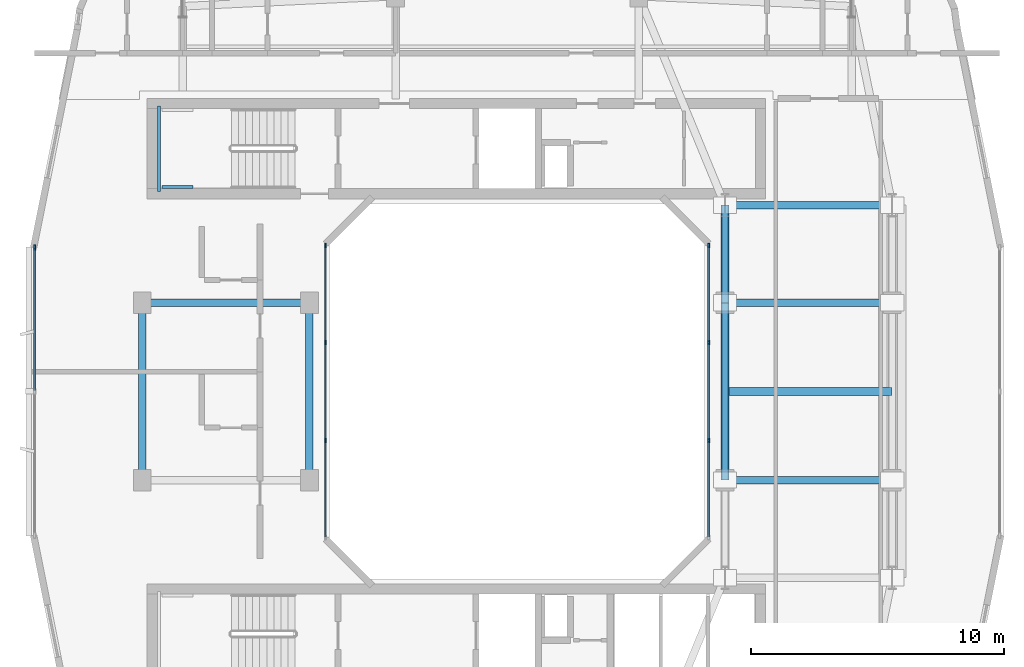
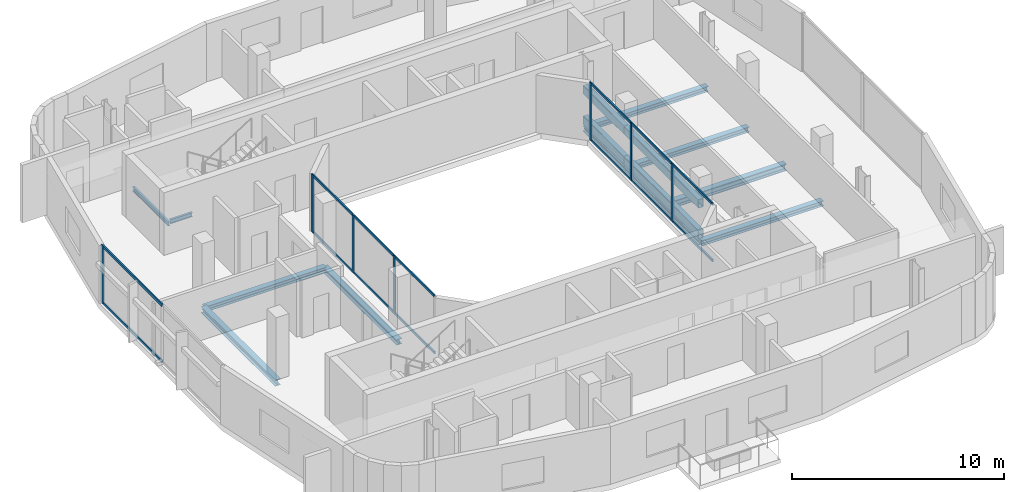
# One storey, part 3 of 13: 25 members, 11 beams, 3 elements without a shape of their own.
"""IFC4 building model written with IfcOpenShell, lengths in metres."""

from ifc_helpers import new_model, si_unit, derived_unit, direction, frame, origin, origin_2d, place, context, subcontext, project, spatial, rectangle, hollow_rectangle, i_section, extrude, material, layer, layer_set, material_profile, profile_set, type_object, element, aggregate, save


model = new_model("IFC4")

# Units and contexts
model_context = context("Model", 3, precision=1e-05, world=origin(), true_north=direction((0.0, 1.0)))
body_context = subcontext(model_context, "Body", "Model", "MODEL_VIEW")
ifc_project = project(units=[si_unit("LENGTHUNIT", "METRE"), si_unit("AREAUNIT", "SQUARE_METRE"), si_unit("VOLUMEUNIT", "CUBIC_METRE"), si_unit("PLANEANGLEUNIT", "RADIAN"), si_unit("MASSUNIT", "GRAM", prefix="KILO"), derived_unit("THERMALTRANSMITTANCEUNIT", [(si_unit("POWERUNIT", "WATT"), 1), (si_unit("LENGTHUNIT", "METRE"), -2), (si_unit("THERMODYNAMICTEMPERATUREUNIT", "KELVIN"), -1)])], contexts=[model_context])

# Site, building, storey
site_placement = place(None, origin())
site = spatial("IfcSite", under=ifc_project, at=site_placement, CompositionType="ELEMENT")
building_placement = place(site_placement, origin())
building = spatial("IfcBuilding", under=site, at=building_placement, Name="Kivonza Crest Hotel", CompositionType="ELEMENT")
storey_placement = place(building_placement, frame((0.0, 0.0, 199.10009765625)))
storey = spatial("IfcBuildingStorey", under=building, at=storey_placement, Name="L54", CompositionType="ELEMENT", Elevation=199.10009765625)

# Beams
ifc_material_1 = material(Name="Steel S355", Category="steel")
ifc_material_profile_1 = material_profile(ifc_material_1, i_section(OverallWidth=0.300048828125, OverallDepth=0.300048828125, WebThickness=0.010986328125, FlangeThickness=0.01904296875, FilletRadius=0.027099609375, at=origin_2d()), Name="HEB 300")
ifc_profile_set_1 = profile_set([ifc_material_profile_1], Name="Steel S355")
beam_type_1 = type_object("IfcBeamType", Name="BM-HEB300", PredefinedType="BEAM", material=ifc_profile_set_1)
beam_1_placement = place(storey_placement, frame((6.199951171875, 28.5, -0.47021484375), z_axis=(1.0, 0.0, 0.0), x_axis=(0.0, 1.0, 0.0)))
element("IfcBeam", 1, at=beam_1_placement, inside=storey, type_object=beam_type_1, Name="Tower T1 L54 primary girder W2-WL2", PredefinedType="BEAM", context=body_context, shape_type="SweptSolid", body=[
    extrude(i_section(OverallWidth=0.300048828125, OverallDepth=0.300048828125, WebThickness=0.010986328125, FlangeThickness=0.01904296875, FilletRadius=0.027099609375, at=origin_2d()), origin(), (0.0, 0.0, 1.0), 6.60009765625),
])
beam_2_placement = place(storey_placement, frame((12.800048828125, 21.5, -0.47021484375), z_axis=(0.0, 1.0, 0.0), x_axis=(-1.0, 0.0, 0.0)))
element("IfcBeam", 2, at=beam_2_placement, inside=storey, type_object=beam_type_1, Name="Tower T1 L54 primary girder WL1-WL2", PredefinedType="BEAM", context=body_context, shape_type="SweptSolid", body=[
    extrude(i_section(OverallWidth=0.300048828125, OverallDepth=0.300048828125, WebThickness=0.010986328125, FlangeThickness=0.01904296875, FilletRadius=0.027099609375, at=origin_2d()), origin(), (0.0, 0.0, 1.0), 7.0),
])
beam_3_placement = place(storey_placement, frame((29.199951171875, 32.35009765625, -0.47021484375), z_axis=(1.0, 0.0, 0.0), x_axis=(0.0, 1.0, 0.0)))
element("IfcBeam", 3, at=beam_3_placement, inside=storey, type_object=beam_type_1, Name="Tower T1 L54 primary girder TNE-PNE", PredefinedType="BEAM", context=body_context, shape_type="SweptSolid", body=[
    extrude(i_section(OverallWidth=0.300048828125, OverallDepth=0.300048828125, WebThickness=0.010986328125, FlangeThickness=0.01904296875, FilletRadius=0.027099609375, at=origin_2d()), origin(), (0.0, 0.0, 1.0), 6.60009765625),
])
beam_4_placement = place(storey_placement, frame((29.199951171875, 21.5, -0.47021484375), z_axis=(0.0, 1.0, 0.0), x_axis=(-1.0, 0.0, 0.0)))
element("IfcBeam", 4, at=beam_4_placement, inside=storey, type_object=beam_type_1, Name="Tower T1 L54 primary girder WR1-WR2", PredefinedType="BEAM", context=body_context, shape_type="SweptSolid", body=[
    extrude(i_section(OverallWidth=0.300048828125, OverallDepth=0.300048828125, WebThickness=0.010986328125, FlangeThickness=0.01904296875, FilletRadius=0.027099609375, at=origin_2d()), origin(), (0.0, 0.0, 1.0), 7.0),
])
beam_5_placement = place(storey_placement, frame((29.199951171875, 28.5, -0.47021484375), z_axis=(0.0, 1.0, 0.0), x_axis=(-1.0, 0.0, 0.0)))
element("IfcBeam", 5, at=beam_5_placement, inside=storey, type_object=beam_type_1, Name="Tower T1 L54 primary girder WR2-TNE", PredefinedType="BEAM", context=body_context, shape_type="SweptSolid", body=[
    extrude(i_section(OverallWidth=0.300048828125, OverallDepth=0.300048828125, WebThickness=0.010986328125, FlangeThickness=0.01904296875, FilletRadius=0.027099609375, at=origin_2d()), origin(), (0.0, 0.0, 1.0), 3.85009765625),
])
for number, where, z_axis, x_axis, name in (
    (6, (29.199951171875, 21.5, -0.47021484375), (1.0, 0.0, 0.0), (0.0, 1.0, 0.0), "Tower T1 L54 primary girder WR1-E1"),
    (7, (29.199951171875, 28.5, -0.47021484375), (1.0, 0.0, 0.0), (0.0, 1.0, 0.0), "Tower T1 L54 primary girder WR2-E2"),
):
    element("IfcBeam", number, at=place(storey_placement, frame(where, z_axis=z_axis, x_axis=x_axis)), inside=storey, type_object=beam_type_1, Name=name, PredefinedType="BEAM", context=body_context, shape_type="SweptSolid", body=[
        extrude(i_section(OverallWidth=0.300048828125, OverallDepth=0.300048828125, WebThickness=0.010986328125, FlangeThickness=0.01904296875, FilletRadius=0.027099609375, at=origin_2d()), origin(), (0.0, 0.0, 1.0), 6.60009765625),
    ])
ifc_material_profile_2 = material_profile(ifc_material_1, i_section(OverallWidth=0.300048828125, OverallDepth=0.360107421875, WebThickness=0.012451171875, FlangeThickness=0.0224609375, FilletRadius=0.027099609375, at=origin_2d()), Name="HEB 360")
ifc_profile_set_2 = profile_set([ifc_material_profile_2], Name="Steel S355")
beam_type_2 = type_object("IfcBeamType", Name="BM-HEB360", PredefinedType="SPANDREL", material=ifc_profile_set_2)
beam_6_placement = place(storey_placement, frame((6.199951171875, 28.5, -0.5), z_axis=(0.0, -1.0, 0.0), x_axis=(1.0, 0.0, 0.0)))
element("IfcBeam", 8, at=beam_6_placement, inside=storey, type_object=beam_type_2, Name="Tower T1 L54 perimeter spandrel W2-W1", PredefinedType="SPANDREL", context=body_context, shape_type="SweptSolid", body=[
    extrude(i_section(OverallWidth=0.300048828125, OverallDepth=0.360107421875, WebThickness=0.012451171875, FlangeThickness=0.0224609375, FilletRadius=0.027099609375, at=origin_2d()), origin(), (0.0, 0.0, 1.0), 7.0),
])
ifc_material_profile_3 = material_profile(ifc_material_1, i_section(OverallWidth=0.30810546875, OverallDepth=0.39501953125, WebThickness=0.02099609375, FlangeThickness=0.0400390625, FilletRadius=0.027099609375, at=origin_2d()), Name="HEM 360")
ifc_profile_set_3 = profile_set([ifc_material_profile_3], Name="Steel S355")
beam_type_3 = type_object("IfcBeamType", Name="BM-HEM360", PredefinedType="BEAM", material=ifc_profile_set_3)
beam_7_placement = place(storey_placement, frame((29.199951171875, 25.0, -0.51708984375), z_axis=(1.0, 0.0, 0.0), x_axis=(0.0, 1.0, 0.0)))
element("IfcBeam", 9, at=beam_7_placement, inside=storey, type_object=beam_type_3, Name="Transfer level tie girder L54", PredefinedType="BEAM", context=body_context, shape_type="SweptSolid", body=[
    extrude(i_section(OverallWidth=0.30810546875, OverallDepth=0.39501953125, WebThickness=0.02099609375, FlangeThickness=0.0400390625, FilletRadius=0.027099609375, at=origin_2d()), origin(), (0.0, 0.0, 1.0), 6.60009765625),
])
ifc_material_profile_4 = material_profile(ifc_material_1, i_section(OverallWidth=0.1201171875, OverallDepth=0.239990234375, WebThickness=0.006103515625, FlangeThickness=0.009765625, FilletRadius=0.014892578125, at=origin_2d()), Name="IPE 240")
ifc_profile_set_4 = profile_set([ifc_material_profile_4], Name="Steel S355")
beam_type_4 = type_object("IfcBeamType", Name="BM-LLDG-240", PredefinedType="BEAM", material=ifc_profile_set_4)
beam_8_placement = place(storey_placement, frame((6.860107421875, 32.89990234375, 1.47998046875), z_axis=(0.0, 1.0, 0.0), x_axis=(-1.0, 0.0, 0.0)))
element("IfcBeam", 10, at=beam_8_placement, inside=storey, type_object=beam_type_4, Name="Stair ST-T1-N L54 West landing corbel", PredefinedType="BEAM", context=body_context, shape_type="SweptSolid", body=[
    extrude(i_section(OverallWidth=0.1201171875, OverallDepth=0.239990234375, WebThickness=0.006103515625, FlangeThickness=0.009765625, FilletRadius=0.014892578125, at=origin_2d()), origin(), (0.0, 0.0, 1.0), 3.360107421875),
])
beam_9_placement = place(storey_placement, frame((6.989990234375, 33.06005859375, 1.47998046875), z_axis=(1.0, 0.0, 0.0), x_axis=(0.0, 1.0, 0.0)))
element("IfcBeam", 11, at=beam_9_placement, inside=storey, type_object=beam_type_4, Name="Stair ST-T1-N L54 South landing corbel", PredefinedType="BEAM", context=body_context, shape_type="SweptSolid", body=[
    extrude(i_section(OverallWidth=0.1201171875, OverallDepth=0.239990234375, WebThickness=0.006103515625, FlangeThickness=0.009765625, FilletRadius=0.014892578125, at=origin_2d()), origin(), (0.0, 0.0, 1.0), 1.2099609375),
])

# Curtain wall, members
ifc_material_2 = material(Name="Anodised bronze aluminium and low-E double glazing", Category="aluminium")
ifc_layer_1 = layer(ifc_material_2, 0.159912109375)
ifc_layer_set_1 = layer_set([ifc_layer_1], Name="Anodised bronze aluminium and low-E double glazing")
curtain_wall_type_1 = type_object("IfcCurtainWallType", Name="CW-SYS-5", PredefinedType="NOTDEFINED", material=ifc_layer_set_1)
curtain_wall_1_placement = place(storey_placement, origin())
curtain_wall_1 = element("IfcCurtainWall", 12, at=curtain_wall_1_placement, inside=storey, type_object=curtain_wall_type_1, Name="L54 unitised curtain wall CW-WELL-T1-L54-3", PredefinedType="NOTDEFINED")
ifc_material_3 = material(Name="Anodised bronze aluminium", Category="aluminium")
ifc_material_profile_5 = material_profile(ifc_material_3, rectangle(XDim=0.06494140625, YDim=0.179931640625, at=origin_2d()), Name="CW-M 65x180")
ifc_profile_set_5 = profile_set([ifc_material_profile_5], Name="Anodised bronze aluminium")
member_type_1 = type_object("IfcMemberType", Name="CW-MUL-65x180", PredefinedType="MULLION", material=ifc_profile_set_5)
member_1_placement = place(storey_placement, frame((28.56005859375, 23.066650390625, 0.0), z_axis=(0.0, 0.0, 1.0), x_axis=(-1.0, 0.0, 0.0)))
member_1 = element("IfcMember", 13, at=member_1_placement, type_object=member_type_1, Name="CW-5 mullion 2", PredefinedType="MULLION", context=body_context, shape_type="SweptSolid", body=[
    extrude(rectangle(XDim=0.06494140625, YDim=0.179931640625, at=origin_2d()), origin(), (0.0, 0.0, 1.0), 3.31982421875),
])
member_2_placement = place(storey_placement, frame((28.56005859375, 26.933349609375, 0.0), z_axis=(0.0, 0.0, 1.0), x_axis=(-1.0, 0.0, 0.0)))
member_2 = element("IfcMember", 14, at=member_2_placement, type_object=member_type_1, Name="CW-5 mullion 3", PredefinedType="MULLION", context=body_context, shape_type="SweptSolid", body=[
    extrude(rectangle(XDim=0.06494140625, YDim=0.179931640625, at=origin_2d()), origin(), (0.0, 0.0, 1.0), 3.31982421875),
])
member_3_placement = place(storey_placement, frame((28.56005859375, 30.767578125, 0.0), z_axis=(0.0, 0.0, 1.0), x_axis=(-1.0, 0.0, 0.0)))
member_3 = element("IfcMember", 15, at=member_3_placement, type_object=member_type_1, Name="CW-5 mullion 4", PredefinedType="MULLION", context=body_context, shape_type="SweptSolid", body=[
    extrude(rectangle(XDim=0.06494140625, YDim=0.179931640625, at=origin_2d()), origin(), (0.0, 0.0, 1.0), 3.31982421875),
])

curtain_wall_2_placement = place(storey_placement, origin())
curtain_wall_2 = element("IfcCurtainWall", 16, at=curtain_wall_2_placement, inside=storey, type_object=curtain_wall_type_1, Name="L54 unitised curtain wall CW-WELL-T1-L54-7", PredefinedType="NOTDEFINED")
member_4_placement = place(storey_placement, frame((13.43994140625, 30.767578125, 0.0), z_axis=(0.0, 0.0, 1.0), x_axis=(1.0, 0.0, 0.0)))
member_4 = element("IfcMember", 17, at=member_4_placement, type_object=member_type_1, Name="CW-5 mullion 1", PredefinedType="MULLION", context=body_context, shape_type="SweptSolid", body=[
    extrude(rectangle(XDim=0.06494140625, YDim=0.179931640625, at=origin_2d()), origin(), (0.0, 0.0, 1.0), 3.31982421875),
])
member_5_placement = place(storey_placement, frame((13.43994140625, 26.933349609375, 0.0), z_axis=(0.0, 0.0, 1.0), x_axis=(1.0, 0.0, 0.0)))
member_5 = element("IfcMember", 18, at=member_5_placement, type_object=member_type_1, Name="CW-5 mullion 2", PredefinedType="MULLION", context=body_context, shape_type="SweptSolid", body=[
    extrude(rectangle(XDim=0.06494140625, YDim=0.179931640625, at=origin_2d()), origin(), (0.0, 0.0, 1.0), 3.31982421875),
])
member_6_placement = place(storey_placement, frame((13.43994140625, 23.066650390625, 0.0), z_axis=(0.0, 0.0, 1.0), x_axis=(1.0, 0.0, 0.0)))
member_6 = element("IfcMember", 19, at=member_6_placement, type_object=member_type_1, Name="CW-5 mullion 3", PredefinedType="MULLION", context=body_context, shape_type="SweptSolid", body=[
    extrude(rectangle(XDim=0.06494140625, YDim=0.179931640625, at=origin_2d()), origin(), (0.0, 0.0, 1.0), 3.31982421875),
])

# Curtain wall, member
ifc_layer_2 = layer(ifc_material_2, 0.179931640625)
ifc_layer_set_2 = layer_set([ifc_layer_2], Name="Anodised bronze aluminium and low-E double glazing")
curtain_wall_type_2 = type_object("IfcCurtainWallType", Name="CW-SYS-3", PredefinedType="NOTDEFINED", material=ifc_layer_set_2)
curtain_wall_3_placement = place(storey_placement, origin())
curtain_wall_3 = element("IfcCurtainWall", 20, at=curtain_wall_3_placement, inside=storey, type_object=curtain_wall_type_2, Name="L54 unitised curtain wall CW-T1-L54-35", PredefinedType="NOTDEFINED")
ifc_material_profile_6 = material_profile(ifc_material_3, rectangle(XDim=0.074951171875, YDim=0.219970703125, at=origin_2d()), Name="CW-M 75x220")
ifc_profile_set_6 = profile_set([ifc_material_profile_6], Name="Anodised bronze aluminium")
member_type_2 = type_object("IfcMemberType", Name="CW-MUL-75x220", PredefinedType="MULLION", material=ifc_profile_set_6)
member_7_placement = place(storey_placement, frame((1.9599609375, 30.6826171875, 0.0), z_axis=(0.0, 0.0, 1.0), x_axis=(1.0, 0.0, 0.0)))
member_7 = element("IfcMember", 21, at=member_7_placement, type_object=member_type_2, Name="CW-3 mullion 1", PredefinedType="MULLION", context=body_context, shape_type="SweptSolid", body=[
    extrude(rectangle(XDim=0.074951171875, YDim=0.219970703125, at=origin_2d()), origin(), (0.0, 0.0, 1.0), 3.31982421875),
])

# Member
ifc_material_profile_7 = material_profile(ifc_material_3, rectangle(XDim=0.06494140625, YDim=0.139892578125, at=origin_2d()), Name="CW-T 65x140")
ifc_profile_set_7 = profile_set([ifc_material_profile_7], Name="Anodised bronze aluminium")
member_type_3 = type_object("IfcMemberType", Name="CW-TRN-65x140", PredefinedType="USERDEFINED", material=ifc_profile_set_7)
member_8_placement = place(storey_placement, frame((28.56005859375, 19.264892578125, 0.032470703125), z_axis=(0.0, 1.0, 0.0), x_axis=(-1.0, 0.0, 0.0)))
member_8 = element("IfcMember", 22, at=member_8_placement, type_object=member_type_3, Name="CW-5 transom 1.1", ObjectType="TRANSOM", PredefinedType="USERDEFINED", context=body_context, shape_type="SweptSolid", body=[
    extrude(rectangle(XDim=0.06494140625, YDim=0.139892578125, at=origin_2d()), origin(), (0.0, 0.0, 1.0), 3.769287109375),
])

member_9_placement = place(storey_placement, frame((28.56005859375, 19.264892578125, 3.287353515625), z_axis=(0.0, 1.0, 0.0), x_axis=(-1.0, 0.0, 0.0)))
member_9 = element("IfcMember", 23, at=member_9_placement, type_object=member_type_3, Name="CW-5 transom 1.2", ObjectType="TRANSOM", PredefinedType="USERDEFINED", context=body_context, shape_type="SweptSolid", body=[
    extrude(rectangle(XDim=0.06494140625, YDim=0.139892578125, at=origin_2d()), origin(), (0.0, 0.0, 1.0), 3.769287109375),
])

member_10_placement = place(storey_placement, frame((28.56005859375, 23.09912109375, 0.032470703125), z_axis=(0.0, 1.0, 0.0), x_axis=(-1.0, 0.0, 0.0)))
member_10 = element("IfcMember", 24, at=member_10_placement, type_object=member_type_3, Name="CW-5 transom 2.1", ObjectType="TRANSOM", PredefinedType="USERDEFINED", context=body_context, shape_type="SweptSolid", body=[
    extrude(rectangle(XDim=0.06494140625, YDim=0.139892578125, at=origin_2d()), origin(), (0.0, 0.0, 1.0), 3.8017578125),
])

member_11_placement = place(storey_placement, frame((28.56005859375, 23.09912109375, 3.287353515625), z_axis=(0.0, 1.0, 0.0), x_axis=(-1.0, 0.0, 0.0)))
member_11 = element("IfcMember", 25, at=member_11_placement, type_object=member_type_3, Name="CW-5 transom 2.2", ObjectType="TRANSOM", PredefinedType="USERDEFINED", context=body_context, shape_type="SweptSolid", body=[
    extrude(rectangle(XDim=0.06494140625, YDim=0.139892578125, at=origin_2d()), origin(), (0.0, 0.0, 1.0), 3.8017578125),
])

member_12_placement = place(storey_placement, frame((28.56005859375, 26.9658203125, 0.032470703125), z_axis=(0.0, 1.0, 0.0), x_axis=(-1.0, 0.0, 0.0)))
member_12 = element("IfcMember", 26, at=member_12_placement, type_object=member_type_3, Name="CW-5 transom 3.1", ObjectType="TRANSOM", PredefinedType="USERDEFINED", context=body_context, shape_type="SweptSolid", body=[
    extrude(rectangle(XDim=0.06494140625, YDim=0.139892578125, at=origin_2d()), origin(), (0.0, 0.0, 1.0), 3.769287109375),
])

member_13_placement = place(storey_placement, frame((28.56005859375, 26.9658203125, 3.287353515625), z_axis=(0.0, 1.0, 0.0), x_axis=(-1.0, 0.0, 0.0)))
member_13 = element("IfcMember", 27, at=member_13_placement, type_object=member_type_3, Name="CW-5 transom 3.2", ObjectType="TRANSOM", PredefinedType="USERDEFINED", context=body_context, shape_type="SweptSolid", body=[
    extrude(rectangle(XDim=0.06494140625, YDim=0.139892578125, at=origin_2d()), origin(), (0.0, 0.0, 1.0), 3.769287109375),
])

aggregate(curtain_wall_1, [member_1, member_2, member_3, member_8, member_9, member_10, member_11, member_12, member_13])

member_14_placement = place(storey_placement, frame((13.43994140625, 30.735107421875, 0.032470703125), z_axis=(0.0, -1.0, 0.0), x_axis=(1.0, 0.0, 0.0)))
member_14 = element("IfcMember", 28, at=member_14_placement, type_object=member_type_3, Name="CW-5 transom 1.1", ObjectType="TRANSOM", PredefinedType="USERDEFINED", context=body_context, shape_type="SweptSolid", body=[
    extrude(rectangle(XDim=0.06494140625, YDim=0.139892578125, at=origin_2d()), origin(), (0.0, 0.0, 1.0), 3.769287109375),
])

member_15_placement = place(storey_placement, frame((13.43994140625, 30.735107421875, 3.287353515625), z_axis=(0.0, -1.0, 0.0), x_axis=(1.0, 0.0, 0.0)))
member_15 = element("IfcMember", 29, at=member_15_placement, type_object=member_type_3, Name="CW-5 transom 1.2", ObjectType="TRANSOM", PredefinedType="USERDEFINED", context=body_context, shape_type="SweptSolid", body=[
    extrude(rectangle(XDim=0.06494140625, YDim=0.139892578125, at=origin_2d()), origin(), (0.0, 0.0, 1.0), 3.769287109375),
])

member_16_placement = place(storey_placement, frame((13.43994140625, 26.90087890625, 0.032470703125), z_axis=(0.0, -1.0, 0.0), x_axis=(1.0, 0.0, 0.0)))
member_16 = element("IfcMember", 30, at=member_16_placement, type_object=member_type_3, Name="CW-5 transom 2.1", ObjectType="TRANSOM", PredefinedType="USERDEFINED", context=body_context, shape_type="SweptSolid", body=[
    extrude(rectangle(XDim=0.06494140625, YDim=0.139892578125, at=origin_2d()), origin(), (0.0, 0.0, 1.0), 3.8017578125),
])

member_17_placement = place(storey_placement, frame((13.43994140625, 26.90087890625, 3.287353515625), z_axis=(0.0, -1.0, 0.0), x_axis=(1.0, 0.0, 0.0)))
member_17 = element("IfcMember", 31, at=member_17_placement, type_object=member_type_3, Name="CW-5 transom 2.2", ObjectType="TRANSOM", PredefinedType="USERDEFINED", context=body_context, shape_type="SweptSolid", body=[
    extrude(rectangle(XDim=0.06494140625, YDim=0.139892578125, at=origin_2d()), origin(), (0.0, 0.0, 1.0), 3.8017578125),
])

member_18_placement = place(storey_placement, frame((13.43994140625, 23.0341796875, 0.032470703125), z_axis=(0.0, -1.0, 0.0), x_axis=(1.0, 0.0, 0.0)))
member_18 = element("IfcMember", 32, at=member_18_placement, type_object=member_type_3, Name="CW-5 transom 3.1", ObjectType="TRANSOM", PredefinedType="USERDEFINED", context=body_context, shape_type="SweptSolid", body=[
    extrude(rectangle(XDim=0.06494140625, YDim=0.139892578125, at=origin_2d()), origin(), (0.0, 0.0, 1.0), 3.769287109375),
])

member_19_placement = place(storey_placement, frame((13.43994140625, 23.0341796875, 3.287353515625), z_axis=(0.0, -1.0, 0.0), x_axis=(1.0, 0.0, 0.0)))
member_19 = element("IfcMember", 33, at=member_19_placement, type_object=member_type_3, Name="CW-5 transom 3.2", ObjectType="TRANSOM", PredefinedType="USERDEFINED", context=body_context, shape_type="SweptSolid", body=[
    extrude(rectangle(XDim=0.06494140625, YDim=0.139892578125, at=origin_2d()), origin(), (0.0, 0.0, 1.0), 3.769287109375),
])

aggregate(curtain_wall_2, [member_4, member_5, member_6, member_14, member_15, member_16, member_17, member_18, member_19])

ifc_material_profile_8 = material_profile(ifc_material_3, rectangle(XDim=0.074951171875, YDim=0.159912109375, at=origin_2d()), Name="CW-T 75x160")
ifc_profile_set_8 = profile_set([ifc_material_profile_8], Name="Anodised bronze aluminium")
member_type_4 = type_object("IfcMemberType", Name="CW-TRN-75x160", PredefinedType="USERDEFINED", material=ifc_profile_set_8)
member_20_placement = place(storey_placement, frame((1.9599609375, 30.64501953125, 0.037353515625), z_axis=(0.0, -1.0, 0.0), x_axis=(1.0, 0.0, 0.0)))
member_20 = element("IfcMember", 34, at=member_20_placement, type_object=member_type_4, Name="CW-3 transom 1.1", ObjectType="TRANSOM", PredefinedType="USERDEFINED", context=body_context, shape_type="SweptSolid", body=[
    extrude(rectangle(XDim=0.074951171875, YDim=0.159912109375, at=origin_2d()), origin(), (0.0, 0.0, 1.0), 5.607421875),
])

member_21_placement = place(storey_placement, frame((1.9599609375, 30.64501953125, 3.282470703125), z_axis=(0.0, -1.0, 0.0), x_axis=(1.0, 0.0, 0.0)))
member_21 = element("IfcMember", 35, at=member_21_placement, type_object=member_type_4, Name="CW-3 transom 1.2", ObjectType="TRANSOM", PredefinedType="USERDEFINED", context=body_context, shape_type="SweptSolid", body=[
    extrude(rectangle(XDim=0.074951171875, YDim=0.159912109375, at=origin_2d()), origin(), (0.0, 0.0, 1.0), 5.607421875),
])

aggregate(curtain_wall_3, [member_7, member_20, member_21])

# Members
ifc_material_profile_9 = material_profile(ifc_material_1, hollow_rectangle(XDim=0.300048828125, YDim=0.5, WallThickness=0.02001953125, InnerFilletRadius=0.030029296875, OuterFilletRadius=0.050048828125, at=origin_2d()), Name="RHS 500x300x20")
ifc_profile_set_9 = profile_set([ifc_material_profile_9], Name="Steel S355")
member_type_5 = type_object("IfcMemberType", Name="MB-CHORD-RHS500", PredefinedType="CHORD", material=ifc_profile_set_9)
for number, where, z_axis, x_axis, name in (
    (36, (29.199951171875, 21.5, 0.0), (0.0, 1.0, 0.0), (-1.0, 0.0, 0.0), "Transfer truss L54 portal header WELL bottom chord 2"),
    (37, (29.199951171875, 21.5, 1.75), (0.0, 1.0, 0.0), (-1.0, 0.0, 0.0), "Transfer truss L54 portal header WELL top chord 2"),
):
    element("IfcMember", number, at=place(storey_placement, frame(where, z_axis=z_axis, x_axis=x_axis)), inside=storey, type_object=member_type_5, Name=name, PredefinedType="CHORD", context=body_context, shape_type="SweptSolid", body=[
        extrude(hollow_rectangle(XDim=0.300048828125, YDim=0.5, WallThickness=0.02001953125, InnerFilletRadius=0.030029296875, OuterFilletRadius=0.050048828125, at=origin_2d()), origin(), (0.0, 0.0, 1.0), 7.0),
    ])
for number, where, z_axis, x_axis, name in (
    (38, (29.199951171875, 28.5, 0.0), (0.0, 1.0, 0.0), (-1.0, 0.0, 0.0), "Transfer truss L54 portal header WELL bottom chord 3"),
    (39, (29.199951171875, 28.5, 1.75), (0.0, 1.0, 0.0), (-1.0, 0.0, 0.0), "Transfer truss L54 portal header WELL top chord 3"),
):
    element("IfcMember", number, at=place(storey_placement, frame(where, z_axis=z_axis, x_axis=x_axis)), inside=storey, type_object=member_type_5, Name=name, PredefinedType="CHORD", context=body_context, shape_type="SweptSolid", body=[
        extrude(hollow_rectangle(XDim=0.300048828125, YDim=0.5, WallThickness=0.02001953125, InnerFilletRadius=0.030029296875, OuterFilletRadius=0.050048828125, at=origin_2d()), origin(), (0.0, 0.0, 1.0), 3.85009765625),
    ])

save(model, "model.ifc")
